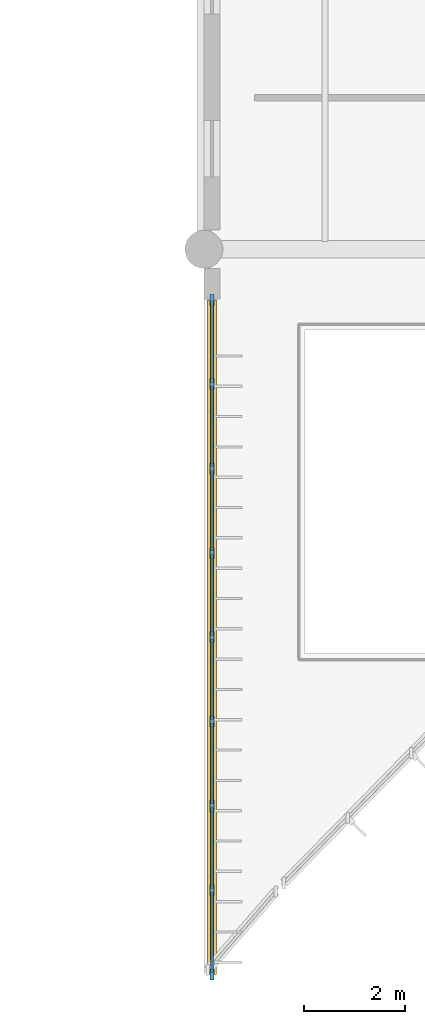
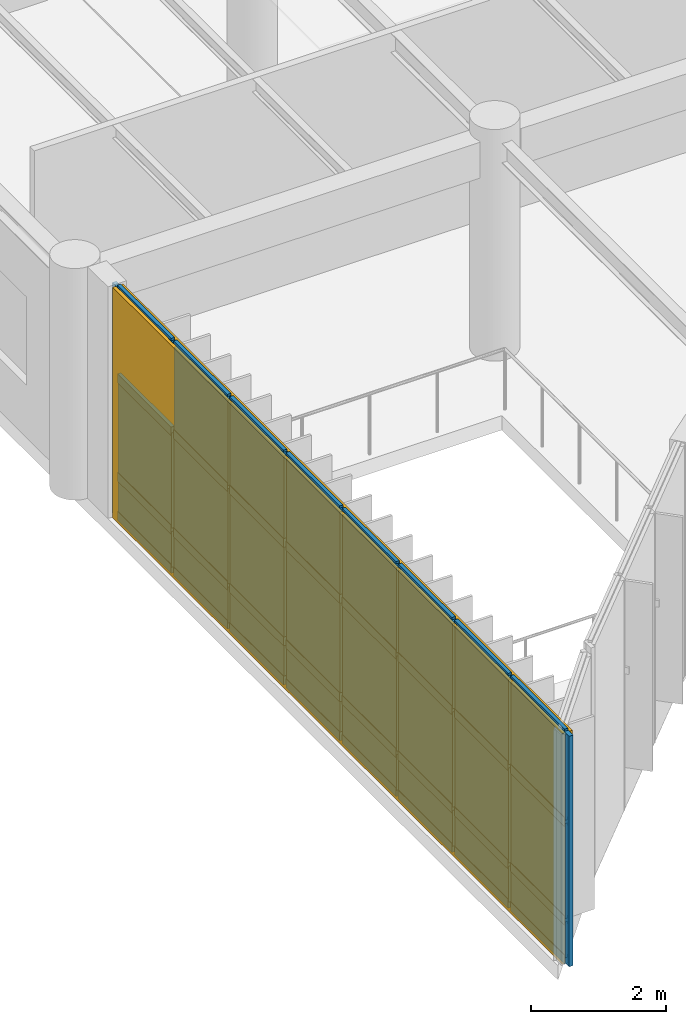
# One storey, part 61 of 122: 41 members, 23 plates, 1 curtain wall.
"""IFC4 building model written with IfcOpenShell, lengths in metres."""

import ifcopenshell
import ifcopenshell.guid

model = None  # the IFC model being written
_history = None  # IfcOwnerHistory: only IFC2X3 demands one
_inside = {}  # id of a spatial element -> (the spatial element, [elements in it])
_under = {}  # id of a project, library or spatial element -> (it, [spatial elements below it])
_declared = {}  # id of a project -> (the project, [libraries it declares])
_typed = {}  # id of a type object -> (the type object, [elements of that type])
_made_of = {}  # id of a material, layer set ... -> (it, [elements and type objects made of it])


def new_model(schema):
    """Start an empty IFC model of exactly this schema.

    Asked for "IFC4X3", IfcOpenShell would pick the latest addendum, in which some entities
    have other attributes; the version numbers below select the first issue.
    IFC2X3 requires an IfcOwnerHistory on every rooted entity: one is made here for all.
    """
    global model, _history
    if schema == "IFC4X3":
        model = ifcopenshell.file(schema_version=(4, 3, 0, 0))
    else:
        model = ifcopenshell.file(schema=schema)
    _inside.clear()
    _under.clear()
    _declared.clear()
    _typed.clear()
    _made_of.clear()
    _history = None
    if model.schema == "IFC2X3":
        org = make("IfcOrganization", Name="unknown")
        user = make(
            "IfcPersonAndOrganization",
            ThePerson=make("IfcPerson", FamilyName="unknown"),
            TheOrganization=org,
        )
        app = make(
            "IfcApplication",
            ApplicationDeveloper=org,
            Version="unknown",
            ApplicationFullName="unknown",
            ApplicationIdentifier="unknown",
        )
        _history = make(
            "IfcOwnerHistory",
            OwningUser=user,
            OwningApplication=app,
            ChangeAction="ADDED",
            CreationDate=0,
        )
    return model


def make(cls, **values):
    """One entity of the class cls with the attributes given. An attribute that is None is left unset."""
    return model.create_entity(
        cls, **{name: value for name, value in values.items() if value is not None}
    )


def rooted(cls, **values):
    """An entity with a GlobalId (a new one), such as an element, a storey or a relation."""
    return make(cls, GlobalId=ifcopenshell.guid.new(), OwnerHistory=_history, **values)


def si_unit(unit_type, name, prefix=None):
    """IfcSIUnit, for example si_unit("LENGTHUNIT", "METRE", prefix="MILLI")."""
    return make("IfcSIUnit", UnitType=unit_type, Prefix=prefix, Name=name)


def assignment(units):
    """IfcUnitAssignment: the units of a project."""
    return None if units is None else make("IfcUnitAssignment", Units=units)


def point(xyz):
    """IfcCartesianPoint."""
    return None if xyz is None else make("IfcCartesianPoint", Coordinates=xyz)


def direction(xyz):
    """IfcDirection."""
    return None if xyz is None else make("IfcDirection", DirectionRatios=xyz)


def frame(location, z_axis=None, x_axis=None):
    """IfcAxis2Placement3D, a coordinate frame: its origin and axes. An axis left out is left unset."""
    return make(
        "IfcAxis2Placement3D",
        Location=point(location),
        Axis=direction(z_axis),
        RefDirection=direction(x_axis),
    )


def frame_2d(location, x_axis=None):
    """IfcAxis2Placement2D, a coordinate frame in the plane: its origin and x axis."""
    return make(
        "IfcAxis2Placement2D", Location=point(location), RefDirection=direction(x_axis)
    )


def origin():
    """The frame at (0, 0, 0) with its axes left unset."""
    return frame((0.0, 0.0, 0.0))


def origin_2d():
    """The frame at (0, 0) in the plane with its x axis left unset."""
    return frame_2d((0.0, 0.0))


def place(relative_to, where):
    """IfcLocalPlacement: puts the frame where relative to a parent placement (None: the world)."""
    return make(
        "IfcLocalPlacement", PlacementRelTo=relative_to, RelativePlacement=where
    )


def context(
    kind, dimensions, precision=None, world=None, true_north=None, identifier=None
):
    """IfcGeometricRepresentationContext, for example the 3D "Model" context."""
    return make(
        "IfcGeometricRepresentationContext",
        ContextIdentifier=identifier,
        ContextType=kind,
        CoordinateSpaceDimension=dimensions,
        Precision=precision,
        WorldCoordinateSystem=world,
        TrueNorth=true_north,
    )


def subcontext(parent, identifier, kind, view, scale=None):
    """IfcGeometricRepresentationSubContext, for example "Body" below "Model"."""
    return make(
        "IfcGeometricRepresentationSubContext",
        ContextIdentifier=identifier,
        ContextType=kind,
        ParentContext=parent,
        TargetScale=scale,
        TargetView=view,
    )


def project(units=None, contexts=None):
    """IfcProject with its units and contexts."""
    return rooted(
        "IfcProject",
        Name="project",
        RepresentationContexts=contexts,
        UnitsInContext=assignment(units),
    )


def spatial(cls, under=None, at=None, **own):
    """A site, building, storey or space (cls), placed at a placement, below another one or the project."""
    s = rooted(cls, ObjectPlacement=at, **own)
    if under is not None:
        _under.setdefault(under.id(), (under, []))[1].append(s)
    return s


def profile(cls, at=None, kind="AREA", **sizes):
    """A parametric profile (cls). Its sizes go by their IFC names, for example OverallWidth=200.0."""
    return make(cls, ProfileType=kind, Position=at, **sizes)


def rectangle(**sizes):
    """IfcRectangleProfileDef."""
    return profile("IfcRectangleProfileDef", **sizes)


def extrude(swept, where, along, depth):
    """IfcExtrudedAreaSolid: the profile swept, set in the frame where, extruded along a direction by depth."""
    return make(
        "IfcExtrudedAreaSolid",
        SweptArea=swept,
        Position=where,
        ExtrudedDirection=direction(along),
        Depth=depth,
    )


def shape(context_of_items, identifier, shape_type, items):
    """IfcShapeRepresentation: the items that make up one representation, for example the "Body"."""
    return make(
        "IfcShapeRepresentation",
        ContextOfItems=context_of_items,
        RepresentationIdentifier=identifier,
        RepresentationType=shape_type,
        Items=items,
    )


def material(Name=None, Category=None):
    """IfcMaterial."""
    return make("IfcMaterial", Name=Name, Category=Category)


def layer(
    of_material, thickness, ventilated=None, Name=None, Category=None, Priority=None
):
    """IfcMaterialLayer: one layer of a wall or slab, of a material (None: an air gap)."""
    return make(
        "IfcMaterialLayer",
        Material=of_material,
        LayerThickness=thickness,
        IsVentilated=ventilated,
        Name=Name,
        Category=Category,
        Priority=Priority,
    )


def layer_set(layers, Name=None):
    """IfcMaterialLayerSet."""
    return make("IfcMaterialLayerSet", MaterialLayers=layers, LayerSetName=Name)


def material_profile(
    of_material, cross_section, Name=None, Category=None, Priority=None
):
    """IfcMaterialProfile: a cross section and its material."""
    return make(
        "IfcMaterialProfile",
        Name=Name,
        Material=of_material,
        Profile=cross_section,
        Priority=Priority,
        Category=Category,
    )


def profile_set(profiles, Name=None, composite=None):
    """IfcMaterialProfileSet."""
    return make(
        "IfcMaterialProfileSet",
        Name=Name,
        MaterialProfiles=profiles,
        CompositeProfile=composite,
    )


def made_of(thing, what):
    """Note that an element or type object is made of a material, layer set ...; save() writes the relation."""
    if what is not None:
        _made_of.setdefault(what.id(), (what, []))[1].append(thing)
    return thing


def type_object(cls, material=None, **own):
    """A type object (cls), such as IfcWallType, which elements share."""
    return made_of(rooted(cls, **own), material)


def element(
    cls,
    number,
    at=None,
    inside=None,
    cuts=None,
    type_object=None,
    material=None,
    context=None,
    identifier="Body",
    shape_type=None,
    held_by="IfcProductDefinitionShape",
    body=None,
    shapes=None,
    **own,
):
    """One element of the class cls, such as IfcWall. Its Tag is "e" and its number.

    at: its placement. inside: the storey or other place that contains it. cuts: it is an
    opening in that element (IfcRelVoidsElement). A single representation is given by context,
    identifier, shape_type and body (its items); several are given by shapes. held_by: the class
    of the entity that holds the representations. save() writes the other relations.
    """
    e = rooted(cls, Tag="e%d" % number, ObjectPlacement=at, **own)
    if body is not None:
        shapes = [shape(context, identifier, shape_type, body)]
    if shapes is not None:
        e.Representation = make(held_by, Representations=shapes)
    if inside is not None:
        _inside.setdefault(inside.id(), (inside, []))[1].append(e)
    if cuts is not None:
        rooted(
            "IfcRelVoidsElement", RelatingBuildingElement=cuts, RelatedOpeningElement=e
        )
    if type_object is not None:
        _typed.setdefault(type_object.id(), (type_object, []))[1].append(e)
    return made_of(e, material)


def aggregate(whole, parts):
    """IfcRelAggregates: a whole, such as a stair, and the parts it consists of."""
    return rooted("IfcRelAggregates", RelatingObject=whole, RelatedObjects=parts)


def save(model, path):
    """Write the relations noted so far, then the file.

    IfcRelAggregates (storeys below a building ...), IfcRelContainedInSpatialStructure (elements
    in a storey), IfcRelDefinesByType, IfcRelAssociatesMaterial and IfcRelDeclares: one each for
    every whole, place, type object, material and project.
    """
    for whole, parts in _under.values():
        aggregate(whole, parts)
    for where, things in _inside.values():
        rooted(
            "IfcRelContainedInSpatialStructure",
            RelatedElements=things,
            RelatingStructure=where,
        )
    for kind, things in _typed.values():
        rooted("IfcRelDefinesByType", RelatedObjects=things, RelatingType=kind)
    for what, things in _made_of.values():
        rooted("IfcRelAssociatesMaterial", RelatedObjects=things, RelatingMaterial=what)
    for by, libraries in _declared.values():
        rooted("IfcRelDeclares", RelatingContext=by, RelatedDefinitions=libraries)
    model.write(path)


model = new_model("IFC4")

# Units and contexts
model_context = context("Model", 3, precision=1e-05, world=origin(), true_north=direction((0.0, 1.0)))
body_context = subcontext(model_context, "Body", "Model", "MODEL_VIEW")
ifc_project = project(units=[si_unit("LENGTHUNIT", "METRE"), si_unit("AREAUNIT", "SQUARE_METRE"), si_unit("VOLUMEUNIT", "CUBIC_METRE"), si_unit("PLANEANGLEUNIT", "RADIAN"), si_unit("MASSUNIT", "GRAM", prefix="KILO")], contexts=[model_context])

# Member
ifc_material_1 = material(Name="Anodised Bronze Aluminium 6063-T6", Category="aluminium")
ifc_material_profile_1 = material_profile(ifc_material_1, rectangle(XDim=0.070068359375, YDim=0.219970703125, at=origin_2d()), Name="ALU MULLION 70x220")
ifc_profile_set_1 = profile_set([ifc_material_profile_1], Name="Anodised Bronze Aluminium 6063-T6")
member_type_1 = type_object("IfcMemberType", Name="Curtain-Wall Heavy Mullion 70x220", PredefinedType="MULLION", material=ifc_profile_set_1)
site_placement = place(None, origin())
building_placement = place(site_placement, origin())
storey_placement = place(building_placement, frame((0.0, 0.0, 4.800048828125)))
member_1_placement = place(storey_placement, frame((36.159912109375, 1.449951171875, 0.0), z_axis=(0.0, 0.0, 1.0), x_axis=(1.0, 0.0, 0.0)))
member_1 = element("IfcMember", 1, at=member_1_placement, type_object=member_type_1, Name="Mullion CWM-02 CW-V5-RET-W-L01-M01", PredefinedType="MULLION", context=body_context, shape_type="SweptSolid", body=[
    extrude(rectangle(XDim=0.070068359375, YDim=0.219970703125, at=origin_2d()), origin(), (0.0, 0.0, 1.0), 4.179931640625),
])

member_2_placement = place(storey_placement, frame((36.159912109375, 3.118896484375, 0.0), z_axis=(0.0, 0.0, 1.0), x_axis=(1.0, 0.0, 0.0)))
member_2 = element("IfcMember", 2, at=member_2_placement, type_object=member_type_1, Name="Mullion CWM-02 CW-V5-RET-W-L01-M02", PredefinedType="MULLION", context=body_context, shape_type="SweptSolid", body=[
    extrude(rectangle(XDim=0.070068359375, YDim=0.219970703125, at=origin_2d()), origin(), (0.0, 0.0, 1.0), 4.179931640625),
])

member_3_placement = place(storey_placement, frame((36.159912109375, 4.78759765625, 0.0), z_axis=(0.0, 0.0, 1.0), x_axis=(1.0, 0.0, 0.0)))
member_3 = element("IfcMember", 3, at=member_3_placement, type_object=member_type_1, Name="Mullion CWM-02 CW-V5-RET-W-L01-M03", PredefinedType="MULLION", context=body_context, shape_type="SweptSolid", body=[
    extrude(rectangle(XDim=0.070068359375, YDim=0.219970703125, at=origin_2d()), origin(), (0.0, 0.0, 1.0), 4.179931640625),
])

member_4_placement = place(storey_placement, frame((36.159912109375, 6.456298828125, 0.0), z_axis=(0.0, 0.0, 1.0), x_axis=(1.0, 0.0, 0.0)))
member_4 = element("IfcMember", 4, at=member_4_placement, type_object=member_type_1, Name="Mullion CWM-02 CW-V5-RET-W-L01-M04", PredefinedType="MULLION", context=body_context, shape_type="SweptSolid", body=[
    extrude(rectangle(XDim=0.070068359375, YDim=0.219970703125, at=origin_2d()), origin(), (0.0, 0.0, 1.0), 4.179931640625),
])

member_5_placement = place(storey_placement, frame((36.159912109375, 8.125, 0.0), z_axis=(0.0, 0.0, 1.0), x_axis=(1.0, 0.0, 0.0)))
member_5 = element("IfcMember", 5, at=member_5_placement, type_object=member_type_1, Name="Mullion CWM-02 CW-V5-RET-W-L01-M05", PredefinedType="MULLION", context=body_context, shape_type="SweptSolid", body=[
    extrude(rectangle(XDim=0.070068359375, YDim=0.219970703125, at=origin_2d()), origin(), (0.0, 0.0, 1.0), 4.179931640625),
])

member_6_placement = place(storey_placement, frame((36.159912109375, 9.793701171875, 0.0), z_axis=(0.0, 0.0, 1.0), x_axis=(1.0, 0.0, 0.0)))
member_6 = element("IfcMember", 6, at=member_6_placement, type_object=member_type_1, Name="Mullion CWM-02 CW-V5-RET-W-L01-M06", PredefinedType="MULLION", context=body_context, shape_type="SweptSolid", body=[
    extrude(rectangle(XDim=0.070068359375, YDim=0.219970703125, at=origin_2d()), origin(), (0.0, 0.0, 1.0), 4.179931640625),
])

member_7_placement = place(storey_placement, frame((36.159912109375, 11.46240234375, 0.0), z_axis=(0.0, 0.0, 1.0), x_axis=(1.0, 0.0, 0.0)))
member_7 = element("IfcMember", 7, at=member_7_placement, type_object=member_type_1, Name="Mullion CWM-02 CW-V5-RET-W-L01-M07", PredefinedType="MULLION", context=body_context, shape_type="SweptSolid", body=[
    extrude(rectangle(XDim=0.070068359375, YDim=0.219970703125, at=origin_2d()), origin(), (0.0, 0.0, 1.0), 4.179931640625),
])

member_8_placement = place(storey_placement, frame((36.159912109375, 13.13134765625, 0.0), z_axis=(0.0, 0.0, 1.0), x_axis=(1.0, 0.0, 0.0)))
member_8 = element("IfcMember", 8, at=member_8_placement, type_object=member_type_1, Name="Mullion CWM-02 CW-V5-RET-W-L01-M08", PredefinedType="MULLION", context=body_context, shape_type="SweptSolid", body=[
    extrude(rectangle(XDim=0.070068359375, YDim=0.219970703125, at=origin_2d()), origin(), (0.0, 0.0, 1.0), 4.179931640625),
])

member_9_placement = place(storey_placement, frame((36.159912109375, 14.800048828125, 0.0), z_axis=(0.0, 0.0, 1.0), x_axis=(1.0, 0.0, 0.0)))
member_9 = element("IfcMember", 9, at=member_9_placement, type_object=member_type_1, Name="Mullion CWM-02 CW-V5-RET-W-L01-M09", PredefinedType="MULLION", context=body_context, shape_type="SweptSolid", body=[
    extrude(rectangle(XDim=0.070068359375, YDim=0.219970703125, at=origin_2d()), origin(), (0.0, 0.0, 1.0), 4.179931640625),
])

ifc_material_profile_2 = material_profile(ifc_material_1, rectangle(XDim=0.06005859375, YDim=0.159912109375, at=origin_2d()), Name="ALU TRANSOM 60x160")
ifc_profile_set_2 = profile_set([ifc_material_profile_2], Name="Anodised Bronze Aluminium 6063-T6")
member_type_2 = type_object("IfcMemberType", Name="Curtain-Wall Heavy Transom 60x160", PredefinedType="USERDEFINED", material=ifc_profile_set_2)
member_10_placement = place(storey_placement, frame((36.159912109375, 1.485107421875, 0.0400390625), z_axis=(0.0, 1.0, 0.0), x_axis=(-1.0, 0.0, 0.0)))
member_10 = element("IfcMember", 10, at=member_10_placement, type_object=member_type_2, Name="Transom CWT-02 CW-V5-RET-W-L01-T01.1", ObjectType="TRANSOM", PredefinedType="USERDEFINED", context=body_context, shape_type="SweptSolid", body=[
    extrude(rectangle(XDim=0.06005859375, YDim=0.159912109375, at=origin_2d()), origin(), (0.0, 0.0, 1.0), 1.5986328125),
])

member_11_placement = place(storey_placement, frame((36.159912109375, 1.485107421875, 0.75), z_axis=(0.0, 1.0, 0.0), x_axis=(-1.0, 0.0, 0.0)))
member_11 = element("IfcMember", 11, at=member_11_placement, type_object=member_type_2, Name="Transom CWT-02 CW-V5-RET-W-L01-T01.2", ObjectType="TRANSOM", PredefinedType="USERDEFINED", context=body_context, shape_type="SweptSolid", body=[
    extrude(rectangle(XDim=0.06005859375, YDim=0.159912109375, at=origin_2d()), origin(), (0.0, 0.0, 1.0), 1.5986328125),
])

member_12_placement = place(storey_placement, frame((36.159912109375, 1.485107421875, 2.533447265625), z_axis=(0.0, 1.0, 0.0), x_axis=(-1.0, 0.0, 0.0)))
member_12 = element("IfcMember", 12, at=member_12_placement, type_object=member_type_2, Name="Transom CWT-02 CW-V5-RET-W-L01-T01.3", ObjectType="TRANSOM", PredefinedType="USERDEFINED", context=body_context, shape_type="SweptSolid", body=[
    extrude(rectangle(XDim=0.06005859375, YDim=0.159912109375, at=origin_2d()), origin(), (0.0, 0.0, 1.0), 1.5986328125),
])

member_13_placement = place(storey_placement, frame((36.159912109375, 1.485107421875, 4.139892578125), z_axis=(0.0, 1.0, 0.0), x_axis=(-1.0, 0.0, 0.0)))
member_13 = element("IfcMember", 13, at=member_13_placement, type_object=member_type_2, Name="Transom CWT-02 CW-V5-RET-W-L01-T01.4", ObjectType="TRANSOM", PredefinedType="USERDEFINED", context=body_context, shape_type="SweptSolid", body=[
    extrude(rectangle(XDim=0.06005859375, YDim=0.159912109375, at=origin_2d()), origin(), (0.0, 0.0, 1.0), 1.5986328125),
])

member_14_placement = place(storey_placement, frame((36.159912109375, 3.15380859375, 0.0400390625), z_axis=(0.0, 1.0, 0.0), x_axis=(-1.0, 0.0, 0.0)))
member_14 = element("IfcMember", 14, at=member_14_placement, type_object=member_type_2, Name="Transom CWT-02 CW-V5-RET-W-L01-T02.1", ObjectType="TRANSOM", PredefinedType="USERDEFINED", context=body_context, shape_type="SweptSolid", body=[
    extrude(rectangle(XDim=0.06005859375, YDim=0.159912109375, at=origin_2d()), origin(), (0.0, 0.0, 1.0), 1.5986328125),
])

member_15_placement = place(storey_placement, frame((36.159912109375, 3.15380859375, 0.75), z_axis=(0.0, 1.0, 0.0), x_axis=(-1.0, 0.0, 0.0)))
member_15 = element("IfcMember", 15, at=member_15_placement, type_object=member_type_2, Name="Transom CWT-02 CW-V5-RET-W-L01-T02.2", ObjectType="TRANSOM", PredefinedType="USERDEFINED", context=body_context, shape_type="SweptSolid", body=[
    extrude(rectangle(XDim=0.06005859375, YDim=0.159912109375, at=origin_2d()), origin(), (0.0, 0.0, 1.0), 1.5986328125),
])

member_16_placement = place(storey_placement, frame((36.159912109375, 3.15380859375, 2.533447265625), z_axis=(0.0, 1.0, 0.0), x_axis=(-1.0, 0.0, 0.0)))
member_16 = element("IfcMember", 16, at=member_16_placement, type_object=member_type_2, Name="Transom CWT-02 CW-V5-RET-W-L01-T02.3", ObjectType="TRANSOM", PredefinedType="USERDEFINED", context=body_context, shape_type="SweptSolid", body=[
    extrude(rectangle(XDim=0.06005859375, YDim=0.159912109375, at=origin_2d()), origin(), (0.0, 0.0, 1.0), 1.5986328125),
])

member_17_placement = place(storey_placement, frame((36.159912109375, 3.15380859375, 4.139892578125), z_axis=(0.0, 1.0, 0.0), x_axis=(-1.0, 0.0, 0.0)))
member_17 = element("IfcMember", 17, at=member_17_placement, type_object=member_type_2, Name="Transom CWT-02 CW-V5-RET-W-L01-T02.4", ObjectType="TRANSOM", PredefinedType="USERDEFINED", context=body_context, shape_type="SweptSolid", body=[
    extrude(rectangle(XDim=0.06005859375, YDim=0.159912109375, at=origin_2d()), origin(), (0.0, 0.0, 1.0), 1.5986328125),
])

member_18_placement = place(storey_placement, frame((36.159912109375, 4.822509765625, 0.0400390625), z_axis=(0.0, 1.0, 0.0), x_axis=(-1.0, 0.0, 0.0)))
member_18 = element("IfcMember", 18, at=member_18_placement, type_object=member_type_2, Name="Transom CWT-02 CW-V5-RET-W-L01-T03.1", ObjectType="TRANSOM", PredefinedType="USERDEFINED", context=body_context, shape_type="SweptSolid", body=[
    extrude(rectangle(XDim=0.06005859375, YDim=0.159912109375, at=origin_2d()), origin(), (0.0, 0.0, 1.0), 1.598876953125),
])

member_19_placement = place(storey_placement, frame((36.159912109375, 4.822509765625, 0.75), z_axis=(0.0, 1.0, 0.0), x_axis=(-1.0, 0.0, 0.0)))
member_19 = element("IfcMember", 19, at=member_19_placement, type_object=member_type_2, Name="Transom CWT-02 CW-V5-RET-W-L01-T03.2", ObjectType="TRANSOM", PredefinedType="USERDEFINED", context=body_context, shape_type="SweptSolid", body=[
    extrude(rectangle(XDim=0.06005859375, YDim=0.159912109375, at=origin_2d()), origin(), (0.0, 0.0, 1.0), 1.598876953125),
])

member_20_placement = place(storey_placement, frame((36.159912109375, 4.822509765625, 2.533447265625), z_axis=(0.0, 1.0, 0.0), x_axis=(-1.0, 0.0, 0.0)))
member_20 = element("IfcMember", 20, at=member_20_placement, type_object=member_type_2, Name="Transom CWT-02 CW-V5-RET-W-L01-T03.3", ObjectType="TRANSOM", PredefinedType="USERDEFINED", context=body_context, shape_type="SweptSolid", body=[
    extrude(rectangle(XDim=0.06005859375, YDim=0.159912109375, at=origin_2d()), origin(), (0.0, 0.0, 1.0), 1.598876953125),
])

member_21_placement = place(storey_placement, frame((36.159912109375, 4.822509765625, 4.139892578125), z_axis=(0.0, 1.0, 0.0), x_axis=(-1.0, 0.0, 0.0)))
member_21 = element("IfcMember", 21, at=member_21_placement, type_object=member_type_2, Name="Transom CWT-02 CW-V5-RET-W-L01-T03.4", ObjectType="TRANSOM", PredefinedType="USERDEFINED", context=body_context, shape_type="SweptSolid", body=[
    extrude(rectangle(XDim=0.06005859375, YDim=0.159912109375, at=origin_2d()), origin(), (0.0, 0.0, 1.0), 1.598876953125),
])

member_22_placement = place(storey_placement, frame((36.159912109375, 6.4912109375, 0.0400390625), z_axis=(0.0, 1.0, 0.0), x_axis=(-1.0, 0.0, 0.0)))
member_22 = element("IfcMember", 22, at=member_22_placement, type_object=member_type_2, Name="Transom CWT-02 CW-V5-RET-W-L01-T04.1", ObjectType="TRANSOM", PredefinedType="USERDEFINED", context=body_context, shape_type="SweptSolid", body=[
    extrude(rectangle(XDim=0.06005859375, YDim=0.159912109375, at=origin_2d()), origin(), (0.0, 0.0, 1.0), 1.598876953125),
])

member_23_placement = place(storey_placement, frame((36.159912109375, 6.4912109375, 0.75), z_axis=(0.0, 1.0, 0.0), x_axis=(-1.0, 0.0, 0.0)))
member_23 = element("IfcMember", 23, at=member_23_placement, type_object=member_type_2, Name="Transom CWT-02 CW-V5-RET-W-L01-T04.2", ObjectType="TRANSOM", PredefinedType="USERDEFINED", context=body_context, shape_type="SweptSolid", body=[
    extrude(rectangle(XDim=0.06005859375, YDim=0.159912109375, at=origin_2d()), origin(), (0.0, 0.0, 1.0), 1.598876953125),
])

member_24_placement = place(storey_placement, frame((36.159912109375, 6.4912109375, 2.533447265625), z_axis=(0.0, 1.0, 0.0), x_axis=(-1.0, 0.0, 0.0)))
member_24 = element("IfcMember", 24, at=member_24_placement, type_object=member_type_2, Name="Transom CWT-02 CW-V5-RET-W-L01-T04.3", ObjectType="TRANSOM", PredefinedType="USERDEFINED", context=body_context, shape_type="SweptSolid", body=[
    extrude(rectangle(XDim=0.06005859375, YDim=0.159912109375, at=origin_2d()), origin(), (0.0, 0.0, 1.0), 1.598876953125),
])

member_25_placement = place(storey_placement, frame((36.159912109375, 6.4912109375, 4.139892578125), z_axis=(0.0, 1.0, 0.0), x_axis=(-1.0, 0.0, 0.0)))
member_25 = element("IfcMember", 25, at=member_25_placement, type_object=member_type_2, Name="Transom CWT-02 CW-V5-RET-W-L01-T04.4", ObjectType="TRANSOM", PredefinedType="USERDEFINED", context=body_context, shape_type="SweptSolid", body=[
    extrude(rectangle(XDim=0.06005859375, YDim=0.159912109375, at=origin_2d()), origin(), (0.0, 0.0, 1.0), 1.598876953125),
])

member_26_placement = place(storey_placement, frame((36.159912109375, 8.159912109375, 0.0400390625), z_axis=(0.0, 1.0, 0.0), x_axis=(-1.0, 0.0, 0.0)))
member_26 = element("IfcMember", 26, at=member_26_placement, type_object=member_type_2, Name="Transom CWT-02 CW-V5-RET-W-L01-T05.1", ObjectType="TRANSOM", PredefinedType="USERDEFINED", context=body_context, shape_type="SweptSolid", body=[
    extrude(rectangle(XDim=0.06005859375, YDim=0.159912109375, at=origin_2d()), origin(), (0.0, 0.0, 1.0), 1.598876953125),
])

member_27_placement = place(storey_placement, frame((36.159912109375, 8.159912109375, 0.75), z_axis=(0.0, 1.0, 0.0), x_axis=(-1.0, 0.0, 0.0)))
member_27 = element("IfcMember", 27, at=member_27_placement, type_object=member_type_2, Name="Transom CWT-02 CW-V5-RET-W-L01-T05.2", ObjectType="TRANSOM", PredefinedType="USERDEFINED", context=body_context, shape_type="SweptSolid", body=[
    extrude(rectangle(XDim=0.06005859375, YDim=0.159912109375, at=origin_2d()), origin(), (0.0, 0.0, 1.0), 1.598876953125),
])

member_28_placement = place(storey_placement, frame((36.159912109375, 8.159912109375, 2.533447265625), z_axis=(0.0, 1.0, 0.0), x_axis=(-1.0, 0.0, 0.0)))
member_28 = element("IfcMember", 28, at=member_28_placement, type_object=member_type_2, Name="Transom CWT-02 CW-V5-RET-W-L01-T05.3", ObjectType="TRANSOM", PredefinedType="USERDEFINED", context=body_context, shape_type="SweptSolid", body=[
    extrude(rectangle(XDim=0.06005859375, YDim=0.159912109375, at=origin_2d()), origin(), (0.0, 0.0, 1.0), 1.598876953125),
])

member_29_placement = place(storey_placement, frame((36.159912109375, 8.159912109375, 4.139892578125), z_axis=(0.0, 1.0, 0.0), x_axis=(-1.0, 0.0, 0.0)))
member_29 = element("IfcMember", 29, at=member_29_placement, type_object=member_type_2, Name="Transom CWT-02 CW-V5-RET-W-L01-T05.4", ObjectType="TRANSOM", PredefinedType="USERDEFINED", context=body_context, shape_type="SweptSolid", body=[
    extrude(rectangle(XDim=0.06005859375, YDim=0.159912109375, at=origin_2d()), origin(), (0.0, 0.0, 1.0), 1.598876953125),
])

member_30_placement = place(storey_placement, frame((36.159912109375, 9.82861328125, 0.0400390625), z_axis=(0.0, 1.0, 0.0), x_axis=(-1.0, 0.0, 0.0)))
member_30 = element("IfcMember", 30, at=member_30_placement, type_object=member_type_2, Name="Transom CWT-02 CW-V5-RET-W-L01-T06.1", ObjectType="TRANSOM", PredefinedType="USERDEFINED", context=body_context, shape_type="SweptSolid", body=[
    extrude(rectangle(XDim=0.06005859375, YDim=0.159912109375, at=origin_2d()), origin(), (0.0, 0.0, 1.0), 1.598876953125),
])

member_31_placement = place(storey_placement, frame((36.159912109375, 9.82861328125, 0.75), z_axis=(0.0, 1.0, 0.0), x_axis=(-1.0, 0.0, 0.0)))
member_31 = element("IfcMember", 31, at=member_31_placement, type_object=member_type_2, Name="Transom CWT-02 CW-V5-RET-W-L01-T06.2", ObjectType="TRANSOM", PredefinedType="USERDEFINED", context=body_context, shape_type="SweptSolid", body=[
    extrude(rectangle(XDim=0.06005859375, YDim=0.159912109375, at=origin_2d()), origin(), (0.0, 0.0, 1.0), 1.598876953125),
])

member_32_placement = place(storey_placement, frame((36.159912109375, 9.82861328125, 2.533447265625), z_axis=(0.0, 1.0, 0.0), x_axis=(-1.0, 0.0, 0.0)))
member_32 = element("IfcMember", 32, at=member_32_placement, type_object=member_type_2, Name="Transom CWT-02 CW-V5-RET-W-L01-T06.3", ObjectType="TRANSOM", PredefinedType="USERDEFINED", context=body_context, shape_type="SweptSolid", body=[
    extrude(rectangle(XDim=0.06005859375, YDim=0.159912109375, at=origin_2d()), origin(), (0.0, 0.0, 1.0), 1.598876953125),
])

member_33_placement = place(storey_placement, frame((36.159912109375, 9.82861328125, 4.139892578125), z_axis=(0.0, 1.0, 0.0), x_axis=(-1.0, 0.0, 0.0)))
member_33 = element("IfcMember", 33, at=member_33_placement, type_object=member_type_2, Name="Transom CWT-02 CW-V5-RET-W-L01-T06.4", ObjectType="TRANSOM", PredefinedType="USERDEFINED", context=body_context, shape_type="SweptSolid", body=[
    extrude(rectangle(XDim=0.06005859375, YDim=0.159912109375, at=origin_2d()), origin(), (0.0, 0.0, 1.0), 1.598876953125),
])

member_34_placement = place(storey_placement, frame((36.159912109375, 11.49755859375, 0.0400390625), z_axis=(0.0, 1.0, 0.0), x_axis=(-1.0, 0.0, 0.0)))
member_34 = element("IfcMember", 34, at=member_34_placement, type_object=member_type_2, Name="Transom CWT-02 CW-V5-RET-W-L01-T07.1", ObjectType="TRANSOM", PredefinedType="USERDEFINED", context=body_context, shape_type="SweptSolid", body=[
    extrude(rectangle(XDim=0.06005859375, YDim=0.159912109375, at=origin_2d()), origin(), (0.0, 0.0, 1.0), 1.5986328125),
])

member_35_placement = place(storey_placement, frame((36.159912109375, 11.49755859375, 0.75), z_axis=(0.0, 1.0, 0.0), x_axis=(-1.0, 0.0, 0.0)))
member_35 = element("IfcMember", 35, at=member_35_placement, type_object=member_type_2, Name="Transom CWT-02 CW-V5-RET-W-L01-T07.2", ObjectType="TRANSOM", PredefinedType="USERDEFINED", context=body_context, shape_type="SweptSolid", body=[
    extrude(rectangle(XDim=0.06005859375, YDim=0.159912109375, at=origin_2d()), origin(), (0.0, 0.0, 1.0), 1.5986328125),
])

member_36_placement = place(storey_placement, frame((36.159912109375, 11.49755859375, 2.533447265625), z_axis=(0.0, 1.0, 0.0), x_axis=(-1.0, 0.0, 0.0)))
member_36 = element("IfcMember", 36, at=member_36_placement, type_object=member_type_2, Name="Transom CWT-02 CW-V5-RET-W-L01-T07.3", ObjectType="TRANSOM", PredefinedType="USERDEFINED", context=body_context, shape_type="SweptSolid", body=[
    extrude(rectangle(XDim=0.06005859375, YDim=0.159912109375, at=origin_2d()), origin(), (0.0, 0.0, 1.0), 1.5986328125),
])

member_37_placement = place(storey_placement, frame((36.159912109375, 11.49755859375, 4.139892578125), z_axis=(0.0, 1.0, 0.0), x_axis=(-1.0, 0.0, 0.0)))
member_37 = element("IfcMember", 37, at=member_37_placement, type_object=member_type_2, Name="Transom CWT-02 CW-V5-RET-W-L01-T07.4", ObjectType="TRANSOM", PredefinedType="USERDEFINED", context=body_context, shape_type="SweptSolid", body=[
    extrude(rectangle(XDim=0.06005859375, YDim=0.159912109375, at=origin_2d()), origin(), (0.0, 0.0, 1.0), 1.5986328125),
])

member_38_placement = place(storey_placement, frame((36.159912109375, 13.166259765625, 0.0400390625), z_axis=(0.0, 1.0, 0.0), x_axis=(-1.0, 0.0, 0.0)))
member_38 = element("IfcMember", 38, at=member_38_placement, type_object=member_type_2, Name="Transom CWT-02 CW-V5-RET-W-L01-T08.1", ObjectType="TRANSOM", PredefinedType="USERDEFINED", context=body_context, shape_type="SweptSolid", body=[
    extrude(rectangle(XDim=0.06005859375, YDim=0.159912109375, at=origin_2d()), origin(), (0.0, 0.0, 1.0), 1.5986328125),
])

member_39_placement = place(storey_placement, frame((36.159912109375, 13.166259765625, 0.75), z_axis=(0.0, 1.0, 0.0), x_axis=(-1.0, 0.0, 0.0)))
member_39 = element("IfcMember", 39, at=member_39_placement, type_object=member_type_2, Name="Transom CWT-02 CW-V5-RET-W-L01-T08.2", ObjectType="TRANSOM", PredefinedType="USERDEFINED", context=body_context, shape_type="SweptSolid", body=[
    extrude(rectangle(XDim=0.06005859375, YDim=0.159912109375, at=origin_2d()), origin(), (0.0, 0.0, 1.0), 1.5986328125),
])

member_40_placement = place(storey_placement, frame((36.159912109375, 13.166259765625, 2.533447265625), z_axis=(0.0, 1.0, 0.0), x_axis=(-1.0, 0.0, 0.0)))
member_40 = element("IfcMember", 40, at=member_40_placement, type_object=member_type_2, Name="Transom CWT-02 CW-V5-RET-W-L01-T08.3", ObjectType="TRANSOM", PredefinedType="USERDEFINED", context=body_context, shape_type="SweptSolid", body=[
    extrude(rectangle(XDim=0.06005859375, YDim=0.159912109375, at=origin_2d()), origin(), (0.0, 0.0, 1.0), 1.5986328125),
])

member_41_placement = place(storey_placement, frame((36.159912109375, 13.166259765625, 4.139892578125), z_axis=(0.0, 1.0, 0.0), x_axis=(-1.0, 0.0, 0.0)))
member_41 = element("IfcMember", 41, at=member_41_placement, type_object=member_type_2, Name="Transom CWT-02 CW-V5-RET-W-L01-T08.4", ObjectType="TRANSOM", PredefinedType="USERDEFINED", context=body_context, shape_type="SweptSolid", body=[
    extrude(rectangle(XDim=0.06005859375, YDim=0.159912109375, at=origin_2d()), origin(), (0.0, 0.0, 1.0), 1.5986328125),
])

# Plate
ifc_material_2 = material(Name="Double Low-E Acoustic Laminated Glass", Category="glass")
ifc_layer_1 = layer(ifc_material_2, 0.0439453125, Name="Double Low-E Acoustic Laminated Glass")
ifc_layer_set_1 = layer_set([ifc_layer_1], Name="Double Low-E Acoustic Laminated Glass")
plate_type_1 = type_object("IfcPlateType", Name="Acoustic Laminated Low-E Glazing Unit 44", PredefinedType="CURTAIN_PANEL", material=ifc_layer_set_1)
plate_1_placement = place(storey_placement, frame((36.159912109375, 2.284423828125, 0.780029296875), z_axis=(0.0, 0.0, 1.0), x_axis=(0.0, 1.0, 0.0)))
plate_1 = element("IfcPlate", 42, at=plate_1_placement, type_object=plate_type_1, Name="Curtain Panel CWP-01 CW-V5-RET-W-L01-P01.2", PredefinedType="CURTAIN_PANEL", context=body_context, shape_type="SweptSolid", body=[
    extrude(rectangle(XDim=1.598876953125, YDim=0.0439453125, at=origin_2d()), origin(), (0.0, 0.0, 1.0), 1.7236328125),
])

plate_2_placement = place(storey_placement, frame((36.159912109375, 2.284423828125, 2.5634765625), z_axis=(0.0, 0.0, 1.0), x_axis=(0.0, 1.0, 0.0)))
plate_2 = element("IfcPlate", 43, at=plate_2_placement, type_object=plate_type_1, Name="Curtain Panel CWP-01 CW-V5-RET-W-L01-P01.3", PredefinedType="CURTAIN_PANEL", context=body_context, shape_type="SweptSolid", body=[
    extrude(rectangle(XDim=1.598876953125, YDim=0.0439453125, at=origin_2d()), origin(), (0.0, 0.0, 1.0), 1.54638671875),
])

plate_3_placement = place(storey_placement, frame((36.159912109375, 3.953125, 0.780029296875), z_axis=(0.0, 0.0, 1.0), x_axis=(0.0, 1.0, 0.0)))
plate_3 = element("IfcPlate", 44, at=plate_3_placement, type_object=plate_type_1, Name="Curtain Panel CWP-01 CW-V5-RET-W-L01-P02.2", PredefinedType="CURTAIN_PANEL", context=body_context, shape_type="SweptSolid", body=[
    extrude(rectangle(XDim=1.598876953125, YDim=0.0439453125, at=origin_2d()), origin(), (0.0, 0.0, 1.0), 1.7236328125),
])

plate_4_placement = place(storey_placement, frame((36.159912109375, 3.953125, 2.5634765625), z_axis=(0.0, 0.0, 1.0), x_axis=(0.0, 1.0, 0.0)))
plate_4 = element("IfcPlate", 45, at=plate_4_placement, type_object=plate_type_1, Name="Curtain Panel CWP-01 CW-V5-RET-W-L01-P02.3", PredefinedType="CURTAIN_PANEL", context=body_context, shape_type="SweptSolid", body=[
    extrude(rectangle(XDim=1.598876953125, YDim=0.0439453125, at=origin_2d()), origin(), (0.0, 0.0, 1.0), 1.54638671875),
])

plate_5_placement = place(storey_placement, frame((36.159912109375, 5.621826171875, 0.780029296875), z_axis=(0.0, 0.0, 1.0), x_axis=(0.0, 1.0, 0.0)))
plate_5 = element("IfcPlate", 46, at=plate_5_placement, type_object=plate_type_1, Name="Curtain Panel CWP-01 CW-V5-RET-W-L01-P03.2", PredefinedType="CURTAIN_PANEL", context=body_context, shape_type="SweptSolid", body=[
    extrude(rectangle(XDim=1.5986328125, YDim=0.0439453125, at=origin_2d()), origin(), (0.0, 0.0, 1.0), 1.7236328125),
])

plate_6_placement = place(storey_placement, frame((36.159912109375, 5.621826171875, 2.5634765625), z_axis=(0.0, 0.0, 1.0), x_axis=(0.0, 1.0, 0.0)))
plate_6 = element("IfcPlate", 47, at=plate_6_placement, type_object=plate_type_1, Name="Curtain Panel CWP-01 CW-V5-RET-W-L01-P03.3", PredefinedType="CURTAIN_PANEL", context=body_context, shape_type="SweptSolid", body=[
    extrude(rectangle(XDim=1.5986328125, YDim=0.0439453125, at=origin_2d()), origin(), (0.0, 0.0, 1.0), 1.54638671875),
])

plate_7_placement = place(storey_placement, frame((36.159912109375, 7.29052734375, 0.780029296875), z_axis=(0.0, 0.0, 1.0), x_axis=(0.0, 1.0, 0.0)))
plate_7 = element("IfcPlate", 48, at=plate_7_placement, type_object=plate_type_1, Name="Curtain Panel CWP-01 CW-V5-RET-W-L01-P04.2", PredefinedType="CURTAIN_PANEL", context=body_context, shape_type="SweptSolid", body=[
    extrude(rectangle(XDim=1.5986328125, YDim=0.0439453125, at=origin_2d()), origin(), (0.0, 0.0, 1.0), 1.7236328125),
])

plate_8_placement = place(storey_placement, frame((36.159912109375, 7.29052734375, 2.5634765625), z_axis=(0.0, 0.0, 1.0), x_axis=(0.0, 1.0, 0.0)))
plate_8 = element("IfcPlate", 49, at=plate_8_placement, type_object=plate_type_1, Name="Curtain Panel CWP-01 CW-V5-RET-W-L01-P04.3", PredefinedType="CURTAIN_PANEL", context=body_context, shape_type="SweptSolid", body=[
    extrude(rectangle(XDim=1.5986328125, YDim=0.0439453125, at=origin_2d()), origin(), (0.0, 0.0, 1.0), 1.54638671875),
])

plate_9_placement = place(storey_placement, frame((36.159912109375, 8.95947265625, 0.780029296875), z_axis=(0.0, 0.0, 1.0), x_axis=(0.0, 1.0, 0.0)))
plate_9 = element("IfcPlate", 50, at=plate_9_placement, type_object=plate_type_1, Name="Curtain Panel CWP-01 CW-V5-RET-W-L01-P05.2", PredefinedType="CURTAIN_PANEL", context=body_context, shape_type="SweptSolid", body=[
    extrude(rectangle(XDim=1.5986328125, YDim=0.0439453125, at=origin_2d()), origin(), (0.0, 0.0, 1.0), 1.7236328125),
])

plate_10_placement = place(storey_placement, frame((36.159912109375, 8.95947265625, 2.5634765625), z_axis=(0.0, 0.0, 1.0), x_axis=(0.0, 1.0, 0.0)))
plate_10 = element("IfcPlate", 51, at=plate_10_placement, type_object=plate_type_1, Name="Curtain Panel CWP-01 CW-V5-RET-W-L01-P05.3", PredefinedType="CURTAIN_PANEL", context=body_context, shape_type="SweptSolid", body=[
    extrude(rectangle(XDim=1.5986328125, YDim=0.0439453125, at=origin_2d()), origin(), (0.0, 0.0, 1.0), 1.54638671875),
])

plate_11_placement = place(storey_placement, frame((36.159912109375, 10.628173828125, 0.780029296875), z_axis=(0.0, 0.0, 1.0), x_axis=(0.0, 1.0, 0.0)))
plate_11 = element("IfcPlate", 52, at=plate_11_placement, type_object=plate_type_1, Name="Curtain Panel CWP-01 CW-V5-RET-W-L01-P06.2", PredefinedType="CURTAIN_PANEL", context=body_context, shape_type="SweptSolid", body=[
    extrude(rectangle(XDim=1.598876953125, YDim=0.0439453125, at=origin_2d()), origin(), (0.0, 0.0, 1.0), 1.7236328125),
])

plate_12_placement = place(storey_placement, frame((36.159912109375, 10.628173828125, 2.5634765625), z_axis=(0.0, 0.0, 1.0), x_axis=(0.0, 1.0, 0.0)))
plate_12 = element("IfcPlate", 53, at=plate_12_placement, type_object=plate_type_1, Name="Curtain Panel CWP-01 CW-V5-RET-W-L01-P06.3", PredefinedType="CURTAIN_PANEL", context=body_context, shape_type="SweptSolid", body=[
    extrude(rectangle(XDim=1.598876953125, YDim=0.0439453125, at=origin_2d()), origin(), (0.0, 0.0, 1.0), 1.54638671875),
])

plate_13_placement = place(storey_placement, frame((36.159912109375, 12.296875, 0.780029296875), z_axis=(0.0, 0.0, 1.0), x_axis=(0.0, 1.0, 0.0)))
plate_13 = element("IfcPlate", 54, at=plate_13_placement, type_object=plate_type_1, Name="Curtain Panel CWP-01 CW-V5-RET-W-L01-P07.2", PredefinedType="CURTAIN_PANEL", context=body_context, shape_type="SweptSolid", body=[
    extrude(rectangle(XDim=1.598876953125, YDim=0.0439453125, at=origin_2d()), origin(), (0.0, 0.0, 1.0), 1.7236328125),
])

plate_14_placement = place(storey_placement, frame((36.159912109375, 12.296875, 2.5634765625), z_axis=(0.0, 0.0, 1.0), x_axis=(0.0, 1.0, 0.0)))
plate_14 = element("IfcPlate", 55, at=plate_14_placement, type_object=plate_type_1, Name="Curtain Panel CWP-01 CW-V5-RET-W-L01-P07.3", PredefinedType="CURTAIN_PANEL", context=body_context, shape_type="SweptSolid", body=[
    extrude(rectangle(XDim=1.598876953125, YDim=0.0439453125, at=origin_2d()), origin(), (0.0, 0.0, 1.0), 1.54638671875),
])

plate_15_placement = place(storey_placement, frame((36.159912109375, 13.965576171875, 0.780029296875), z_axis=(0.0, 0.0, 1.0), x_axis=(0.0, 1.0, 0.0)))
plate_15 = element("IfcPlate", 56, at=plate_15_placement, type_object=plate_type_1, Name="Curtain Panel CWP-01 CW-V5-RET-W-L01-P08.2", PredefinedType="CURTAIN_PANEL", context=body_context, shape_type="SweptSolid", body=[
    extrude(rectangle(XDim=1.5986328125, YDim=0.0439453125, at=origin_2d()), origin(), (0.0, 0.0, 1.0), 1.7236328125),
])

ifc_material_3 = material(Name="Ceramic-Fritted Tempered Laminated Glass", Category="glass")
ifc_layer_2 = layer(ifc_material_3, 0.0458984375, Name="Ceramic-Fritted Tempered Laminated Glass")
ifc_layer_set_2 = layer_set([ifc_layer_2], Name="Ceramic-Fritted Tempered Laminated Glass")
plate_type_2 = type_object("IfcPlateType", Name="Ceramic-Frit Acoustic Spandrel Glazing 46", PredefinedType="CURTAIN_PANEL", material=ifc_layer_set_2)
plate_16_placement = place(storey_placement, frame((36.159912109375, 2.284423828125, 0.070068359375), z_axis=(0.0, 0.0, 1.0), x_axis=(0.0, 1.0, 0.0)))
plate_16 = element("IfcPlate", 57, at=plate_16_placement, type_object=plate_type_2, Name="Curtain Panel CWP-04 CW-V5-RET-W-L01-P01.1", PredefinedType="CURTAIN_PANEL", context=body_context, shape_type="SweptSolid", body=[
    extrude(rectangle(XDim=1.598876953125, YDim=0.0458984375, at=origin_2d()), origin(), (0.0, 0.0, 1.0), 0.64990234375),
])

plate_17_placement = place(storey_placement, frame((36.159912109375, 3.953125, 0.070068359375), z_axis=(0.0, 0.0, 1.0), x_axis=(0.0, 1.0, 0.0)))
plate_17 = element("IfcPlate", 58, at=plate_17_placement, type_object=plate_type_2, Name="Curtain Panel CWP-04 CW-V5-RET-W-L01-P02.1", PredefinedType="CURTAIN_PANEL", context=body_context, shape_type="SweptSolid", body=[
    extrude(rectangle(XDim=1.598876953125, YDim=0.0458984375, at=origin_2d()), origin(), (0.0, 0.0, 1.0), 0.64990234375),
])

plate_18_placement = place(storey_placement, frame((36.159912109375, 5.621826171875, 0.070068359375), z_axis=(0.0, 0.0, 1.0), x_axis=(0.0, 1.0, 0.0)))
plate_18 = element("IfcPlate", 59, at=plate_18_placement, type_object=plate_type_2, Name="Curtain Panel CWP-04 CW-V5-RET-W-L01-P03.1", PredefinedType="CURTAIN_PANEL", context=body_context, shape_type="SweptSolid", body=[
    extrude(rectangle(XDim=1.5986328125, YDim=0.0458984375, at=origin_2d()), origin(), (0.0, 0.0, 1.0), 0.64990234375),
])

plate_19_placement = place(storey_placement, frame((36.159912109375, 7.29052734375, 0.070068359375), z_axis=(0.0, 0.0, 1.0), x_axis=(0.0, 1.0, 0.0)))
plate_19 = element("IfcPlate", 60, at=plate_19_placement, type_object=plate_type_2, Name="Curtain Panel CWP-04 CW-V5-RET-W-L01-P04.1", PredefinedType="CURTAIN_PANEL", context=body_context, shape_type="SweptSolid", body=[
    extrude(rectangle(XDim=1.5986328125, YDim=0.0458984375, at=origin_2d()), origin(), (0.0, 0.0, 1.0), 0.64990234375),
])

plate_20_placement = place(storey_placement, frame((36.159912109375, 8.95947265625, 0.070068359375), z_axis=(0.0, 0.0, 1.0), x_axis=(0.0, 1.0, 0.0)))
plate_20 = element("IfcPlate", 61, at=plate_20_placement, type_object=plate_type_2, Name="Curtain Panel CWP-04 CW-V5-RET-W-L01-P05.1", PredefinedType="CURTAIN_PANEL", context=body_context, shape_type="SweptSolid", body=[
    extrude(rectangle(XDim=1.5986328125, YDim=0.0458984375, at=origin_2d()), origin(), (0.0, 0.0, 1.0), 0.64990234375),
])

plate_21_placement = place(storey_placement, frame((36.159912109375, 10.628173828125, 0.070068359375), z_axis=(0.0, 0.0, 1.0), x_axis=(0.0, 1.0, 0.0)))
plate_21 = element("IfcPlate", 62, at=plate_21_placement, type_object=plate_type_2, Name="Curtain Panel CWP-04 CW-V5-RET-W-L01-P06.1", PredefinedType="CURTAIN_PANEL", context=body_context, shape_type="SweptSolid", body=[
    extrude(rectangle(XDim=1.598876953125, YDim=0.0458984375, at=origin_2d()), origin(), (0.0, 0.0, 1.0), 0.64990234375),
])

plate_22_placement = place(storey_placement, frame((36.159912109375, 12.296875, 0.070068359375), z_axis=(0.0, 0.0, 1.0), x_axis=(0.0, 1.0, 0.0)))
plate_22 = element("IfcPlate", 63, at=plate_22_placement, type_object=plate_type_2, Name="Curtain Panel CWP-04 CW-V5-RET-W-L01-P07.1", PredefinedType="CURTAIN_PANEL", context=body_context, shape_type="SweptSolid", body=[
    extrude(rectangle(XDim=1.598876953125, YDim=0.0458984375, at=origin_2d()), origin(), (0.0, 0.0, 1.0), 0.64990234375),
])

plate_23_placement = place(storey_placement, frame((36.159912109375, 13.965576171875, 0.070068359375), z_axis=(0.0, 0.0, 1.0), x_axis=(0.0, 1.0, 0.0)))
plate_23 = element("IfcPlate", 64, at=plate_23_placement, type_object=plate_type_2, Name="Curtain Panel CWP-04 CW-V5-RET-W-L01-P08.1", PredefinedType="CURTAIN_PANEL", context=body_context, shape_type="SweptSolid", body=[
    extrude(rectangle(XDim=1.5986328125, YDim=0.0458984375, at=origin_2d()), origin(), (0.0, 0.0, 1.0), 0.64990234375),
])

# Site, building, storey
site = spatial("IfcSite", under=ifc_project, at=site_placement, CompositionType="ELEMENT")
building = spatial("IfcBuilding", under=site, at=building_placement, Name="Tazoul Stagehouse", CompositionType="ELEMENT")
storey = spatial("IfcBuildingStorey", under=building, at=storey_placement, Name="L01", CompositionType="ELEMENT", Elevation=4.800048828125)

# Curtain wall
curtain_wall_type = type_object("IfcCurtainWallType", Name="Crescent Double-Skin Acoustic Curtain Wall", PredefinedType="NOTDEFINED", material=ifc_material_1)
curtain_wall_placement = place(storey_placement, frame((36.159912109375, 1.449951171875, 0.0), z_axis=(0.0, 0.0, 1.0), x_axis=(0.0, 1.0, 0.0)))
curtain_wall = element("IfcCurtainWall", 65, at=curtain_wall_placement, inside=storey, type_object=curtain_wall_type, Name="L01 Curtain Wall CW-01 (CW-V5-RET-W-L01)", PredefinedType="NOTDEFINED", context=body_context, shape_type="SweptSolid", body=[
    extrude(rectangle(XDim=13.35009765625, YDim=0.179931640625, at=frame_2d((6.675048828125, 0.0))), origin(), (0.0, 0.0, 1.0), 4.179931640625),
])

aggregate(curtain_wall, [member_1, member_2, member_3, member_4, member_5, member_6, member_7, member_8, member_9, member_10, member_11, member_12, member_13, plate_16, plate_1, plate_2, member_14, member_15, member_16, member_17, plate_17, plate_3, plate_4, member_18, member_19, member_20, member_21, plate_18, plate_5, plate_6, member_22, member_23, member_24, member_25, plate_19, plate_7, plate_8, member_26, member_27, member_28, member_29, plate_20, plate_9, plate_10, member_30, member_31, member_32, member_33, plate_21, plate_11, plate_12, member_34, member_35, member_36, member_37, plate_22, plate_13, plate_14, member_38, member_39, member_40, member_41, plate_23, plate_15])

save(model, "model.ifc")
